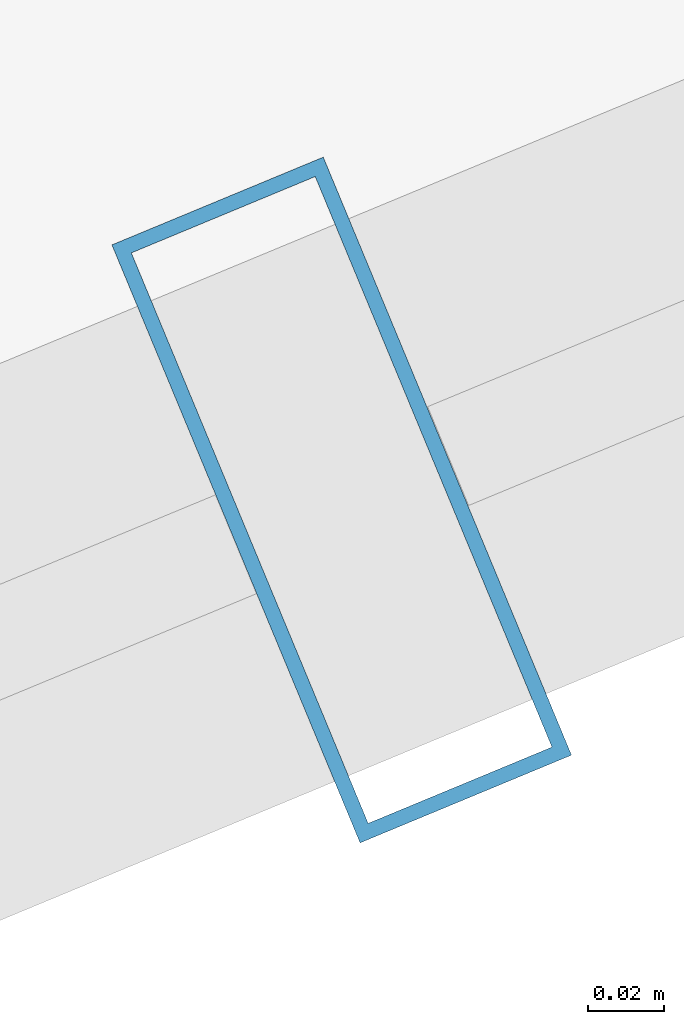
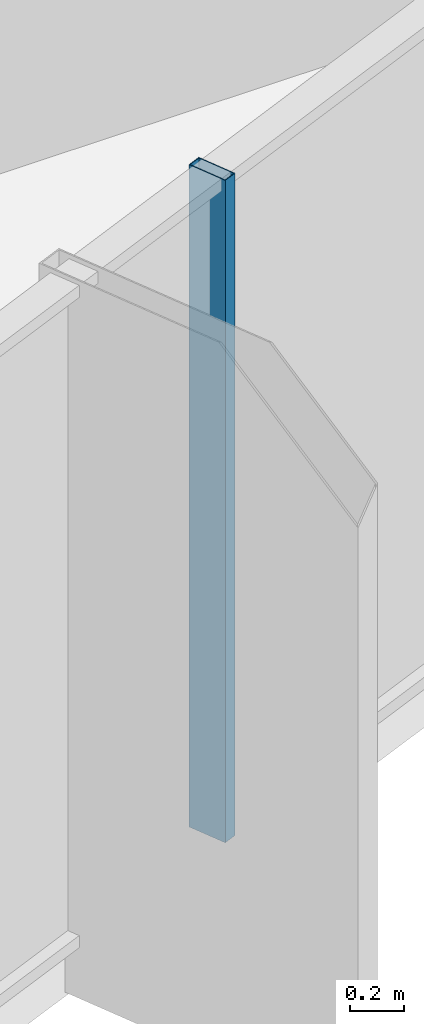
# One storey, part 8 of 30: 1 member, 1 element without a shape of its own.
"""IFC4 building model written with IfcOpenShell, lengths in metres."""

from ifc_helpers import new_model, si_unit, direction, frame, origin, origin_2d, place, context, subcontext, project, spatial, hollow_rectangle, extrude, source, transform, mapped, material, layer, layer_set, material_profile, profile_set, type_object, element, aggregate, save


model = new_model("IFC4")

# Units and contexts
model_context = context("Model", 3, precision=1e-05, world=origin(), true_north=direction((0.0, 1.0)))
body_context = subcontext(model_context, "Body", "Model", "MODEL_VIEW")
ifc_project = project(units=[si_unit("LENGTHUNIT", "METRE"), si_unit("AREAUNIT", "SQUARE_METRE"), si_unit("VOLUMEUNIT", "CUBIC_METRE"), si_unit("PLANEANGLEUNIT", "RADIAN"), si_unit("MASSUNIT", "GRAM", prefix="KILO")], contexts=[model_context])

# Site, building, storey
site_placement = place(None, origin())
site = spatial("IfcSite", under=ifc_project, at=site_placement, CompositionType="ELEMENT")
building_placement = place(site_placement, origin())
building = spatial("IfcBuilding", under=site, at=building_placement, Name="Veraguas Prism Commons", CompositionType="ELEMENT")
storey_placement = place(building_placement, frame((0.0, 0.0, 102.449951171875)))
storey = spatial("IfcBuildingStorey", under=building, at=storey_placement, Name="L28", CompositionType="ELEMENT", Elevation=102.449951171875)

# Curtain wall, member
ifc_material = material(Name="Anodised aluminium EN AW-6063 T6", Category="aluminium")
ifc_layer = layer(ifc_material, 0.169921875, Name="Unitised Flush Curtain Wall Zone 2", Category="aluminium")
ifc_layer_set = layer_set([ifc_layer], Name="Anodised aluminium EN AW-6063 T6")
curtain_wall_type = type_object("IfcCurtainWallType", Name="Unitised Flush Curtain Wall Zone 2", PredefinedType="NOTDEFINED", material=ifc_layer_set)
curtain_wall_placement = place(storey_placement, origin())
curtain_wall = element("IfcCurtainWall", 1, at=curtain_wall_placement, inside=storey, type_object=curtain_wall_type, Name="Tower Facade Curtain Wall L28-F5", PredefinedType="NOTDEFINED")
ifc_material_profile = material_profile(ifc_material, hollow_rectangle(XDim=0.06005859375, YDim=0.169921875, WallThickness=0.00390625, at=origin_2d()), Name="AL60X170X4")
ifc_profile_set = profile_set([ifc_material_profile], Name="Anodised aluminium EN AW-6063 T6")
member_type = type_object("IfcMemberType", Name="Curtain Wall Mullion Lower AL 60x170x4", PredefinedType="MULLION", material=ifc_profile_set)
shared_shape = source(origin(), body_context, "Body", "SweptSolid", [
    extrude(hollow_rectangle(XDim=0.06005859375, YDim=0.169921875, WallThickness=0.00390625, at=origin_2d()), origin(), (0.0, 0.0, 1.0), 3.0),
])
member_placement = place(storey_placement, frame((35.33251953125, 7.9345703125, 0.0), z_axis=(0.0, 0.0, 1.0), x_axis=(0.92361080588, 0.383331552657, 0.0)))
member = element("IfcMember", 2, at=member_placement, type_object=member_type, Name="CW-Z2 Mullion 4", PredefinedType="MULLION", context=body_context, shape_type="MappedRepresentation", body=[
    mapped(shared_shape, transform((0.0, 0.0, 0.0), scale=1.0)),
])
aggregate(curtain_wall, [member])

save(model, "model.ifc")
